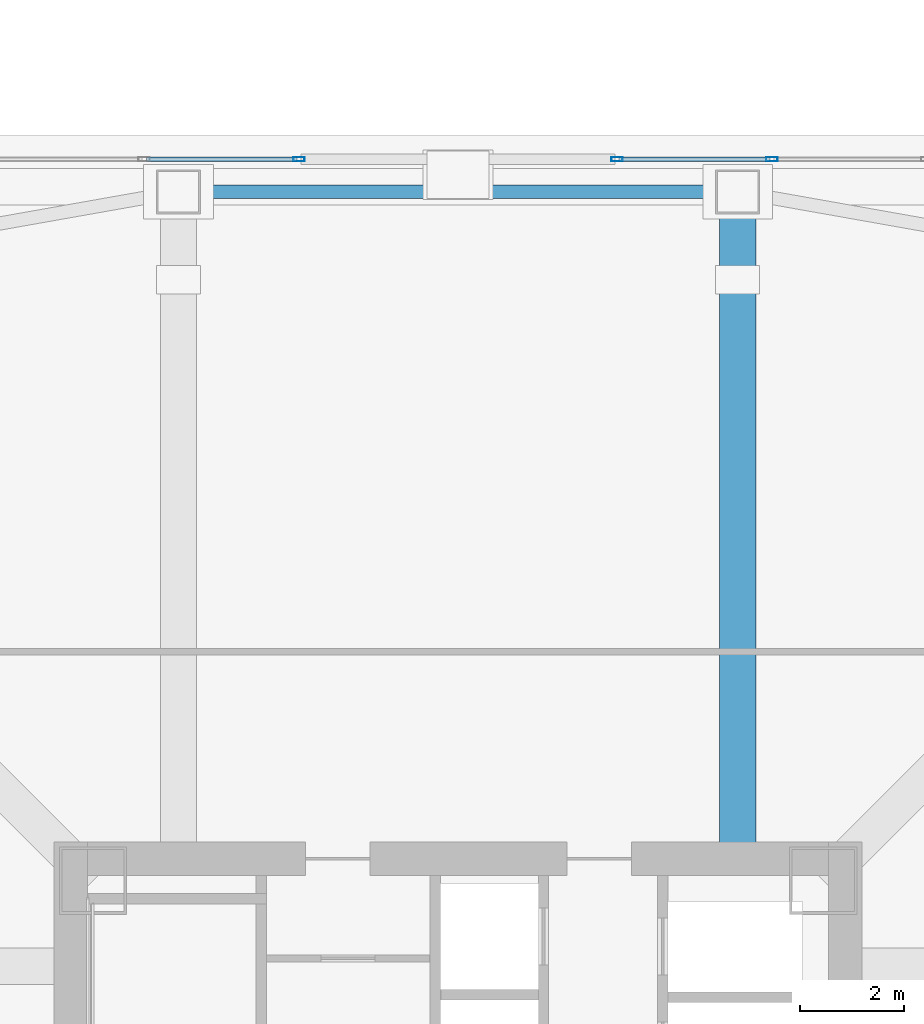
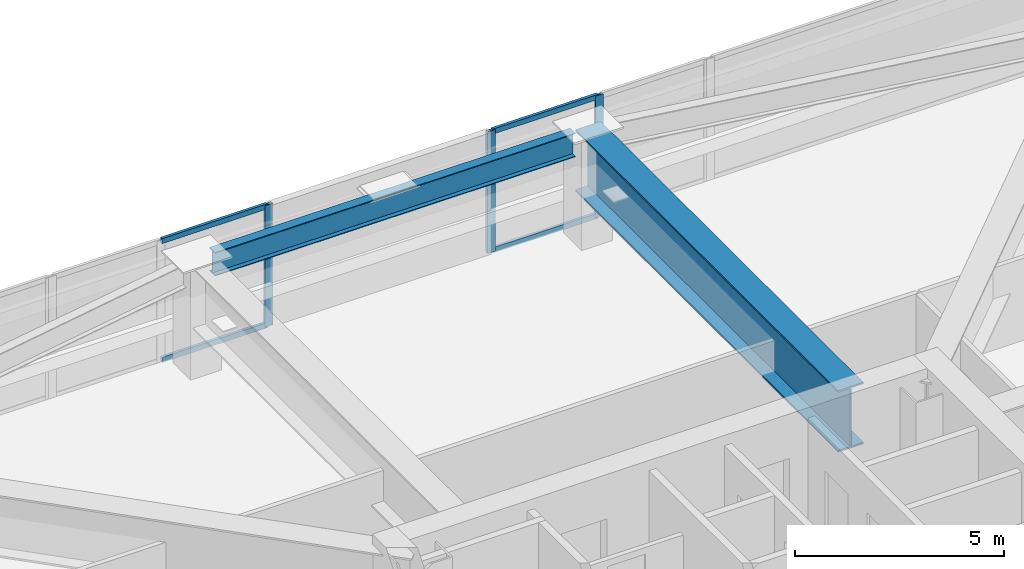
# One storey, part 13 of 49: 7 members, 2 beams, 2 elements without a shape of their own.
"""IFC4 building model written with IfcOpenShell, lengths in metres."""

from ifc_helpers import new_model, si_unit, direction, frame, origin, origin_2d, place, context, subcontext, project, spatial, hollow_rectangle, i_section, extrude, material, material_profile, profile_set, type_object, element, aggregate, save


model = new_model("IFC4")

# Units and contexts
model_context = context("Model", 3, precision=1e-05, world=origin(), true_north=direction((0.0, 1.0)))
body_context = subcontext(model_context, "Body", "Model", "MODEL_VIEW")
ifc_project = project(units=[si_unit("LENGTHUNIT", "METRE"), si_unit("AREAUNIT", "SQUARE_METRE"), si_unit("VOLUMEUNIT", "CUBIC_METRE"), si_unit("PLANEANGLEUNIT", "RADIAN"), si_unit("MASSUNIT", "GRAM", prefix="KILO")], contexts=[model_context])

# Site, building, storey
site_placement = place(None, origin())
site = spatial("IfcSite", under=ifc_project, at=site_placement, CompositionType="ELEMENT")
building_placement = place(site_placement, origin())
building = spatial("IfcBuilding", under=site, at=building_placement, Name="Tashvorn Skyway Center", CompositionType="ELEMENT")
storey_placement = place(building_placement, frame((0.0, 0.0, 106.25)))
storey = spatial("IfcBuildingStorey", under=building, at=storey_placement, Name="L28", CompositionType="ELEMENT", Elevation=106.25)

# Beams
ifc_material_1 = material(Name="Steel ASTM A572 Grade 50", Category="steel")
ifc_material_profile_1 = material_profile(ifc_material_1, i_section(OverallWidth=0.699951171875, OverallDepth=1.800048828125, WebThickness=0.031982421875, FlangeThickness=0.050048828125, at=origin_2d()), Name="PG1800x700")
ifc_profile_set_1 = profile_set([ifc_material_profile_1], Name="Steel ASTM A572 Grade 50")
beam_type_1 = type_object("IfcBeamType", Name="BM-BEAM-PG1800x700", PredefinedType="BEAM", material=ifc_profile_set_1)
beam_1_placement = place(storey_placement, frame((47.39990234375, 52.35009765625, 2.35009765625), z_axis=(0.0, -1.0, 0.0), x_axis=(1.0, 0.0, 0.0)))
element("IfcBeam", 1, at=beam_1_placement, inside=storey, type_object=beam_type_1, Name="Tower 1 L28 Setback Transfer Girder FC-N1", PredefinedType="BEAM", context=body_context, shape_type="SweptSolid", body=[
    extrude(i_section(OverallWidth=0.699951171875, OverallDepth=1.800048828125, WebThickness=0.031982421875, FlangeThickness=0.050048828125, at=origin_2d()), origin(), (0.0, 0.0, 1.0), 12.570068359375),
])
ifc_material_2 = material(Name="Steel ASTM A992 Grade 50", Category="steel")
ifc_material_profile_2 = material_profile(ifc_material_2, i_section(OverallWidth=0.256103515625, OverallDepth=0.693115234375, WebThickness=0.014404296875, FlangeThickness=0.023681640625, at=origin_2d()), Name="W27X114")
ifc_profile_set_2 = profile_set([ifc_material_profile_2], Name="Steel ASTM A992 Grade 50")
beam_type_2 = type_object("IfcBeamType", Name="BM-SPANDREL-W27X114", PredefinedType="SPANDREL", material=ifc_profile_set_2)
beam_2_placement = place(storey_placement, frame((46.97998046875, 52.35009765625, 2.903564453125), z_axis=(-1.0, 0.0, 0.0), x_axis=(0.0, -1.0, 0.0)))
element("IfcBeam", 2, at=beam_2_placement, inside=storey, type_object=beam_type_2, Name="Tower 1 L28 Spandrel Beam 08", PredefinedType="SPANDREL", context=body_context, shape_type="SweptSolid", body=[
    extrude(i_section(OverallWidth=0.256103515625, OverallDepth=0.693115234375, WebThickness=0.014404296875, FlangeThickness=0.023681640625, at=origin_2d()), origin(), (0.0, 0.0, 1.0), 9.9599609375),
])

# Curtain wall, member
ifc_material_3 = material(Name="Thermally broken bronze-anodized aluminium 6063-T6", Category="aluminium")
curtain_wall_type = type_object("IfcCurtainWallType", Name="CW-CW-Z2", PredefinedType="NOTDEFINED", material=ifc_material_3)
curtain_wall_1_placement = place(storey_placement, origin())
curtain_wall_1 = element("IfcCurtainWall", 3, at=curtain_wall_1_placement, inside=storey, type_object=curtain_wall_type, Name="Tower 1 L28 North Unitised Curtain Wall Glazing Group 2", PredefinedType="NOTDEFINED")
ifc_material_profile_3 = material_profile(ifc_material_3, hollow_rectangle(XDim=0.080078125, YDim=0.219970703125, WallThickness=0.0048828125, at=origin_2d()), Name="ALU-MULL-80x220")
ifc_profile_set_3 = profile_set([ifc_material_profile_3], Name="Thermally broken bronze-anodized aluminium 6063-T6")
member_type_1 = type_object("IfcMemberType", Name="CWM-CW-Z2", PredefinedType="MULLION", material=ifc_profile_set_3)
member_1_placement = place(storey_placement, frame((38.929931640625, 52.97998046875, 0.0), z_axis=(0.0, 0.0, 1.0), x_axis=(0.0, 1.0, 0.0)))
member_1 = element("IfcMember", 4, at=member_1_placement, type_object=member_type_1, Name="CW-Z2 mullion 3", PredefinedType="MULLION", context=body_context, shape_type="SweptSolid", body=[
    extrude(hollow_rectangle(XDim=0.080078125, YDim=0.219970703125, WallThickness=0.0048828125, at=origin_2d()), origin(), (0.0, 0.0, 1.0), 3.550048828125),
])

# Curtain wall, members
curtain_wall_2_placement = place(storey_placement, origin())
curtain_wall_2 = element("IfcCurtainWall", 5, at=curtain_wall_2_placement, inside=storey, type_object=curtain_wall_type, Name="Tower 1 L28 North Unitised Curtain Wall Glazing Group 3", PredefinedType="NOTDEFINED")
member_2_placement = place(storey_placement, frame((45.070068359375, 52.97998046875, 0.0), z_axis=(0.0, 0.0, 1.0), x_axis=(0.0, 1.0, 0.0)))
member_2 = element("IfcMember", 6, at=member_2_placement, type_object=member_type_1, Name="CW-Z2 mullion 1", PredefinedType="MULLION", context=body_context, shape_type="SweptSolid", body=[
    extrude(hollow_rectangle(XDim=0.080078125, YDim=0.219970703125, WallThickness=0.0048828125, at=origin_2d()), origin(), (0.0, 0.0, 1.0), 3.550048828125),
])
member_3_placement = place(storey_placement, frame((48.06005859375, 52.97998046875, 0.0), z_axis=(0.0, 0.0, 1.0), x_axis=(0.0, 1.0, 0.0)))
member_3 = element("IfcMember", 7, at=member_3_placement, type_object=member_type_1, Name="CW-Z2 mullion 2", PredefinedType="MULLION", context=body_context, shape_type="SweptSolid", body=[
    extrude(hollow_rectangle(XDim=0.080078125, YDim=0.219970703125, WallThickness=0.0048828125, at=origin_2d()), origin(), (0.0, 0.0, 1.0), 3.550048828125),
])

# Member
ifc_material_profile_4 = material_profile(ifc_material_3, hollow_rectangle(XDim=0.080078125, YDim=0.14990234375, WallThickness=0.00439453125, at=origin_2d()), Name="ALU-TRAN-80x150")
ifc_profile_set_4 = profile_set([ifc_material_profile_4], Name="Thermally broken bronze-anodized aluminium 6063-T6")
member_type_2 = type_object("IfcMemberType", Name="CWT-CW-Z2", PredefinedType="USERDEFINED", material=ifc_profile_set_4)
member_4_placement = place(storey_placement, frame((35.97998046875, 52.97998046875, 0.0400390625), z_axis=(1.0, 0.0, 0.0), x_axis=(0.0, 1.0, 0.0)))
member_4 = element("IfcMember", 8, at=member_4_placement, type_object=member_type_2, Name="CW-Z2 transom 2.1", ObjectType="TRANSOM", PredefinedType="USERDEFINED", context=body_context, shape_type="SweptSolid", body=[
    extrude(hollow_rectangle(XDim=0.080078125, YDim=0.14990234375, WallThickness=0.00439453125, at=origin_2d()), origin(), (0.0, 0.0, 1.0), 2.909912109375),
])

member_5_placement = place(storey_placement, frame((35.97998046875, 52.97998046875, 3.510009765625), z_axis=(1.0, 0.0, 0.0), x_axis=(0.0, 1.0, 0.0)))
member_5 = element("IfcMember", 9, at=member_5_placement, type_object=member_type_2, Name="CW-Z2 transom 2.2", ObjectType="TRANSOM", PredefinedType="USERDEFINED", context=body_context, shape_type="SweptSolid", body=[
    extrude(hollow_rectangle(XDim=0.080078125, YDim=0.14990234375, WallThickness=0.00439453125, at=origin_2d()), origin(), (0.0, 0.0, 1.0), 2.909912109375),
])

aggregate(curtain_wall_1, [member_1, member_4, member_5])

member_6_placement = place(storey_placement, frame((45.110107421875, 52.97998046875, 0.0400390625), z_axis=(1.0, 0.0, 0.0), x_axis=(0.0, 1.0, 0.0)))
member_6 = element("IfcMember", 10, at=member_6_placement, type_object=member_type_2, Name="CW-Z2 transom 1.1", ObjectType="TRANSOM", PredefinedType="USERDEFINED", context=body_context, shape_type="SweptSolid", body=[
    extrude(hollow_rectangle(XDim=0.080078125, YDim=0.14990234375, WallThickness=0.00439453125, at=origin_2d()), origin(), (0.0, 0.0, 1.0), 2.909912109375),
])

member_7_placement = place(storey_placement, frame((45.110107421875, 52.97998046875, 3.510009765625), z_axis=(1.0, 0.0, 0.0), x_axis=(0.0, 1.0, 0.0)))
member_7 = element("IfcMember", 11, at=member_7_placement, type_object=member_type_2, Name="CW-Z2 transom 1.2", ObjectType="TRANSOM", PredefinedType="USERDEFINED", context=body_context, shape_type="SweptSolid", body=[
    extrude(hollow_rectangle(XDim=0.080078125, YDim=0.14990234375, WallThickness=0.00439453125, at=origin_2d()), origin(), (0.0, 0.0, 1.0), 2.909912109375),
])

aggregate(curtain_wall_2, [member_2, member_3, member_6, member_7])

save(model, "model.ifc")
